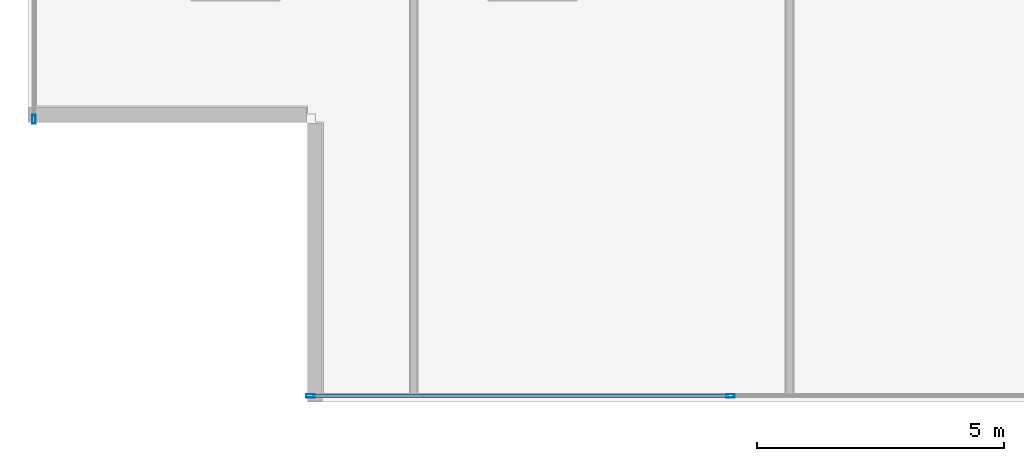
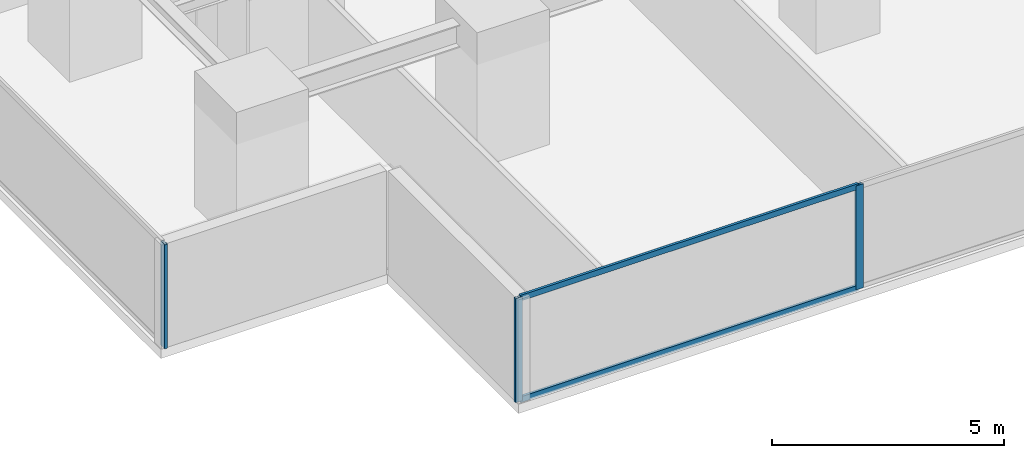
# One storey, part 2 of 34: 5 members, 2 elements without a shape of their own.
"""IFC4 building model written with IfcOpenShell, lengths in metres."""

from ifc_helpers import new_model, si_unit, direction, frame, origin, origin_2d, place, context, subcontext, project, spatial, hollow_rectangle, extrude, source, transform, mapped, material, layer, layer_set, material_profile, profile_set, type_object, element, aggregate, save


model = new_model("IFC4")

# Units and contexts
model_context = context("Model", 3, precision=1e-05, world=origin(), true_north=direction((0.0, 1.0)))
body_context = subcontext(model_context, "Body", "Model", "MODEL_VIEW")
ifc_project = project(units=[si_unit("LENGTHUNIT", "METRE"), si_unit("AREAUNIT", "SQUARE_METRE"), si_unit("VOLUMEUNIT", "CUBIC_METRE"), si_unit("PLANEANGLEUNIT", "RADIAN"), si_unit("MASSUNIT", "GRAM", prefix="KILO")], contexts=[model_context])

# Site, building, storey
site_placement = place(None, origin())
site = spatial("IfcSite", under=ifc_project, at=site_placement, CompositionType="ELEMENT")
building_placement = place(site_placement, origin())
building = spatial("IfcBuilding", under=site, at=building_placement, Name="Sumidabori Civic Tower", CompositionType="ELEMENT")
storey_placement = place(building_placement, frame((0.0, 0.0, 34.39990234375)))
storey = spatial("IfcBuildingStorey", under=building, at=storey_placement, Name="L08", CompositionType="ELEMENT", Elevation=34.39990234375)

# Curtain wall, members
ifc_material = material(Name="Anodised Bronze Aluminium AW-6063-T6", Category="aluminium")
ifc_layer = layer(ifc_material, 0.179931640625, Name="Anodised Bronze Aluminium AW-6063-T6")
ifc_layer_set = layer_set([ifc_layer], Name="Anodised Bronze Aluminium AW-6063-T6")
curtain_wall_type = type_object("IfcCurtainWallType", Name="CW-SYS-2", PredefinedType="NOTDEFINED", material=ifc_layer_set)
curtain_wall_1_placement = place(storey_placement, origin())
curtain_wall_1 = element("IfcCurtainWall", 1, at=curtain_wall_1_placement, inside=storey, type_object=curtain_wall_type, Name="Curtain Wall CW:L08:R01", PredefinedType="NOTDEFINED")
ifc_material_profile_1 = material_profile(ifc_material, hollow_rectangle(XDim=0.070068359375, YDim=0.179931640625, WallThickness=0.006103515625, at=origin_2d()), Name="ALU MULLION 180x70")
ifc_profile_set_1 = profile_set([ifc_material_profile_1], Name="Anodised Bronze Aluminium AW-6063-T6")
member_type_1 = type_object("IfcMemberType", Name="CW-MUL-180", PredefinedType="MULLION", material=ifc_profile_set_1)
shared_shape_1 = source(origin(), body_context, "Body", "SweptSolid", [
    extrude(hollow_rectangle(XDim=0.070068359375, YDim=0.179931640625, WallThickness=0.006103515625, at=origin_2d()), origin(), (0.0, 0.0, 1.0), 2.739990234375),
])
member_1_placement = place(storey_placement, frame((-21.284912109375, -26.8798828125, 0.0), z_axis=(0.0, 0.0, 1.0), x_axis=(0.0, 1.0, 0.0)))
member_1 = element("IfcMember", 2, at=member_1_placement, type_object=member_type_1, Name="CW-2 mullion 1", PredefinedType="MULLION", context=body_context, shape_type="MappedRepresentation", body=[
    mapped(shared_shape_1, transform((0.0, 0.0, 0.0), x_axis=(1.0, 0.0, 0.0), y_axis=(0.0, 1.0, 0.0), z_axis=(0.0, 0.0, 1.0), scale=1.0)),
])
member_2_placement = place(storey_placement, frame((-12.7919921875, -26.8798828125, 0.0), z_axis=(0.0, 0.0, 1.0), x_axis=(0.0, 1.0, 0.0)))
member_2 = element("IfcMember", 3, at=member_2_placement, type_object=member_type_1, Name="CW-2 mullion 2", PredefinedType="MULLION", context=body_context, shape_type="MappedRepresentation", body=[
    mapped(shared_shape_1, transform((0.0, 0.0, 0.0), x_axis=(1.0, 0.0, 0.0), y_axis=(0.0, 1.0, 0.0), z_axis=(0.0, 0.0, 1.0), scale=1.0)),
])

# Curtain wall, member
curtain_wall_2_placement = place(storey_placement, origin())
curtain_wall_2 = element("IfcCurtainWall", 4, at=curtain_wall_2_placement, inside=storey, type_object=curtain_wall_type, Name="Curtain Wall CW:L08:R10", PredefinedType="NOTDEFINED")
member_3_placement = place(storey_placement, frame((-26.8798828125, -21.284912109375, 0.0), z_axis=(0.0, 0.0, 1.0), x_axis=(1.0, 0.0, 0.0)))
member_3 = element("IfcMember", 5, at=member_3_placement, type_object=member_type_1, Name="CW-2 mullion 6", PredefinedType="MULLION", context=body_context, shape_type="MappedRepresentation", body=[
    mapped(shared_shape_1, transform((0.0, 0.0, 0.0), x_axis=(1.0, 0.0, 0.0), y_axis=(0.0, 1.0, 0.0), z_axis=(0.0, 0.0, 1.0), scale=1.0)),
])
aggregate(curtain_wall_2, [member_3])

# Member
ifc_material_profile_2 = material_profile(ifc_material, hollow_rectangle(XDim=0.06494140625, YDim=0.14990234375, WallThickness=0.0048828125, at=origin_2d()), Name="ALU TRANSOM 150x65")
ifc_profile_set_2 = profile_set([ifc_material_profile_2], Name="Anodised Bronze Aluminium AW-6063-T6")
member_type_2 = type_object("IfcMemberType", Name="CW-TRN-150", PredefinedType="USERDEFINED", material=ifc_profile_set_2)
shared_shape_2 = source(origin(), body_context, "Body", "SweptSolid", [
    extrude(hollow_rectangle(XDim=0.06494140625, YDim=0.14990234375, WallThickness=0.0048828125, at=origin_2d()), origin(), (0.0, 0.0, 1.0), 8.423095703125),
])
member_4_placement = place(storey_placement, frame((-21.25, -26.8798828125, 0.03271484375), z_axis=(1.0, 0.0, 0.0), x_axis=(0.0, 1.0, 0.0)))
member_4 = element("IfcMember", 6, at=member_4_placement, type_object=member_type_2, Name="CW-2 transom 1.1", ObjectType="TRANSOM", PredefinedType="USERDEFINED", context=body_context, shape_type="MappedRepresentation", body=[
    mapped(shared_shape_2, transform((0.0, 0.0, 0.0), x_axis=(1.0, 0.0, 0.0), y_axis=(0.0, 1.0, 0.0), z_axis=(0.0, 0.0, 1.0), scale=1.0)),
])

member_5_placement = place(storey_placement, frame((-21.25, -26.8798828125, 2.70751953125), z_axis=(1.0, 0.0, 0.0), x_axis=(0.0, 1.0, 0.0)))
member_5 = element("IfcMember", 7, at=member_5_placement, type_object=member_type_2, Name="CW-2 transom 1.2", ObjectType="TRANSOM", PredefinedType="USERDEFINED", context=body_context, shape_type="MappedRepresentation", body=[
    mapped(shared_shape_2, transform((0.0, 0.0, 0.0), x_axis=(1.0, 0.0, 0.0), y_axis=(0.0, 1.0, 0.0), z_axis=(0.0, 0.0, 1.0), scale=1.0)),
])

aggregate(curtain_wall_1, [member_1, member_2, member_4, member_5])

save(model, "model.ifc")
